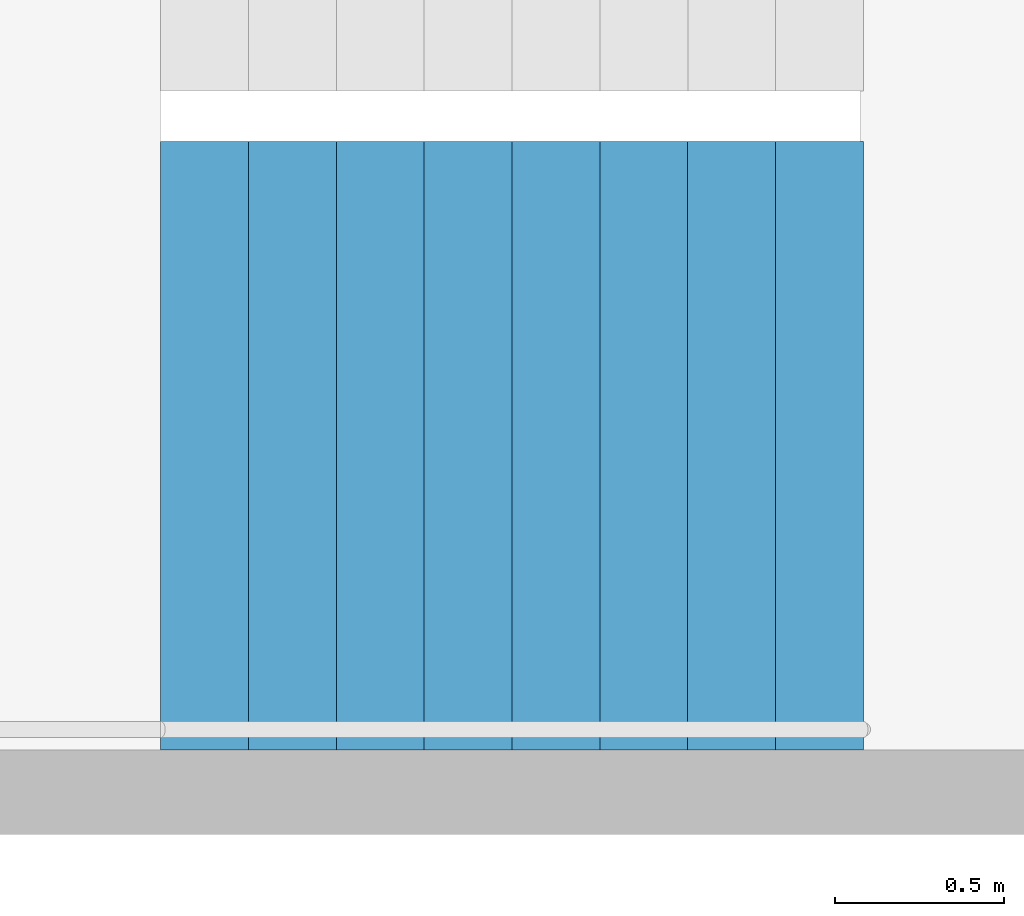
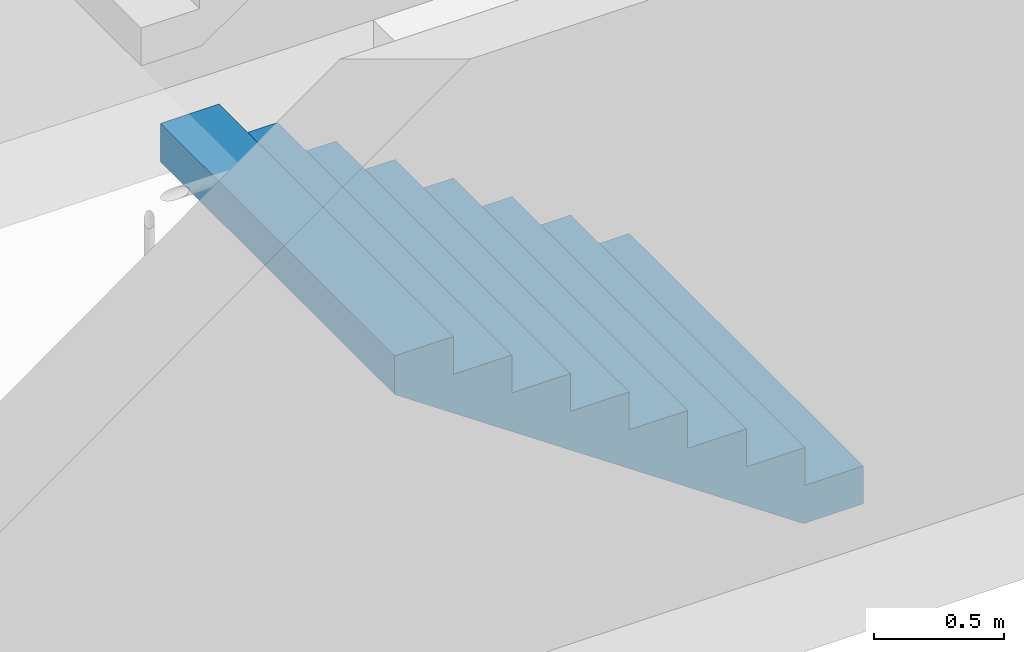
# One storey, part 27 of 29: 1 stair flight, 1 element without a shape of its own.
"""IFC4 building model written with IfcOpenShell, lengths in metres."""

from ifc_helpers import new_model, si_unit, direction, frame, origin, place, context, subcontext, project, spatial, triangles, material, type_object, element, aggregate, save


model = new_model("IFC4")

# Units and contexts
model_context = context("Model", 3, precision=1e-05, world=origin(), true_north=direction((0.0, 1.0)))
body_context = subcontext(model_context, "Body", "Model", "MODEL_VIEW")
ifc_project = project(units=[si_unit("LENGTHUNIT", "METRE"), si_unit("AREAUNIT", "SQUARE_METRE"), si_unit("VOLUMEUNIT", "CUBIC_METRE"), si_unit("PLANEANGLEUNIT", "RADIAN"), si_unit("MASSUNIT", "GRAM", prefix="KILO")], contexts=[model_context])

# Site, building, storey
site_placement = place(None, origin())
site = spatial("IfcSite", under=ifc_project, at=site_placement, CompositionType="ELEMENT")
building_placement = place(site_placement, origin())
building = spatial("IfcBuilding", under=site, at=building_placement, Name="Hakoniwa Tower and Hamabe Station Hall", CompositionType="ELEMENT")
storey_placement = place(building_placement, frame((0.0, 0.0, 117.0)))
storey = spatial("IfcBuildingStorey", under=building, at=storey_placement, Name="L33", CompositionType="ELEMENT", Elevation=117.0)

# Stair, stair flight
ifc_material_1 = material(Name="Concrete C40", Category="concrete")
stair_type = type_object("IfcStairType", Name="ESCAPE STAIR 1800", PredefinedType="HALF_TURN_STAIR", material=ifc_material_1)
stair_placement = place(storey_placement, origin())
stair = element("IfcStair", 1, at=stair_placement, inside=storey, type_object=stair_type, Name="Escape stair ST-3 L33", PredefinedType="HALF_TURN_STAIR")
ifc_material_2 = material(Name="Concrete C40", Category="concrete")
stair_flight_type = type_object("IfcStairFlightType", Name="STAIR FLIGHT 1800", PredefinedType="STRAIGHT", material=ifc_material_2)
stair_flight_placement = place(storey_placement, frame((24.39990234375, 4.64990234375, 0.0), z_axis=(0.0, 0.0, 1.0), x_axis=(-1.0, 0.0, 0.0)))
stair_flight = element("IfcStairFlight", 2, at=stair_flight_placement, type_object=stair_flight_type, Name="ST-3 flight 1", NumberOfRisers=9, NumberOfTreads=8, PredefinedType="STRAIGHT", RiserHeight=0.177777778, TreadLength=0.26, context=body_context, shape_type="Tessellation", body=[
    triangles([(0.0, 0.89990234375, 0.0), (0.260009765625, 0.89990234375, 0.0), (0.265625, 0.89990234375, 0.0), (0.52001953125, 0.89990234375, 0.174072265625), (0.780029296875, 0.89990234375, 0.351806640625), (1.0400390625, 0.89990234375, 0.529541015625), (1.300048828125, 0.89990234375, 0.707275390625), (1.56005859375, 0.89990234375, 0.885009765625), (1.820068359375, 0.89990234375, 1.062744140625), (2.080078125, 0.89990234375, 1.24072265625), (2.080078125, 0.89990234375, 1.422119140625), (1.820068359375, 0.89990234375, 1.422119140625), (1.820068359375, 0.89990234375, 1.244384765625), (1.56005859375, 0.89990234375, 1.244384765625), (1.56005859375, 0.89990234375, 1.066650390625), (1.300048828125, 0.89990234375, 1.066650390625), (1.300048828125, 0.89990234375, 0.888916015625), (1.0400390625, 0.89990234375, 0.888916015625), (1.0400390625, 0.89990234375, 0.711181640625), (0.780029296875, 0.89990234375, 0.711181640625), (0.780029296875, 0.89990234375, 0.533447265625), (0.52001953125, 0.89990234375, 0.533447265625), (0.52001953125, 0.89990234375, 0.35546875), (0.265625, 0.89990234375, 0.35546875), (0.260009765625, 0.89990234375, 0.35546875), (0.260009765625, 0.89990234375, 0.177734375), (0.0, 0.89990234375, 0.177734375), (0.0, 0.06005859375, 0.0), (0.260009765625, 0.06005859375, 0.0), (0.265625, 0.06005859375, 0.0), (0.52001953125, 0.06005859375, 0.174072265625), (0.780029296875, 0.06005859375, 0.351806640625), (1.0400390625, 0.06005859375, 0.529541015625), (1.300048828125, 0.06005859375, 0.707275390625), (1.56005859375, 0.06005859375, 0.885009765625), (1.820068359375, 0.06005859375, 1.062744140625), (2.080078125, 0.06005859375, 1.24072265625), (2.080078125, 0.06005859375, 1.422119140625), (1.820068359375, 0.06005859375, 1.422119140625), (1.820068359375, 0.06005859375, 1.244384765625), (1.56005859375, 0.06005859375, 1.244384765625), (1.56005859375, 0.06005859375, 1.066650390625), (1.300048828125, 0.06005859375, 1.066650390625), (1.300048828125, 0.06005859375, 0.888916015625), (1.0400390625, 0.06005859375, 0.888916015625), (1.0400390625, 0.06005859375, 0.711181640625), (0.780029296875, 0.06005859375, 0.711181640625), (0.780029296875, 0.06005859375, 0.533447265625), (0.52001953125, 0.06005859375, 0.533447265625), (0.52001953125, 0.06005859375, 0.35546875), (0.265625, 0.06005859375, 0.35546875), (0.260009765625, 0.06005859375, 0.35546875), (0.260009765625, 0.06005859375, 0.177734375), (0.0, 0.06005859375, 0.177734375), (0.0, 0.04296875, 0.0), (0.260009765625, 0.04296875, 0.0), (0.265625, 0.04296875, 0.0), (0.52001953125, 0.04296875, 0.174072265625), (0.780029296875, 0.04296875, 0.351806640625), (1.0400390625, 0.04296875, 0.529541015625), (1.300048828125, 0.04296875, 0.707275390625), (1.56005859375, 0.04296875, 0.885009765625), (1.820068359375, 0.04296875, 1.062744140625), (2.080078125, 0.04296875, 1.24072265625), (2.080078125, 0.04296875, 1.422119140625), (1.820068359375, 0.04296875, 1.422119140625), (1.820068359375, 0.04296875, 1.244384765625), (1.56005859375, 0.04296875, 1.244384765625), (1.56005859375, 0.04296875, 1.066650390625), (1.300048828125, 0.04296875, 1.066650390625), (1.300048828125, 0.04296875, 0.888916015625), (1.0400390625, 0.04296875, 0.888916015625), (1.0400390625, 0.04296875, 0.711181640625), (0.780029296875, 0.04296875, 0.711181640625), (0.780029296875, 0.04296875, 0.533447265625), (0.52001953125, 0.04296875, 0.533447265625), (0.52001953125, 0.04296875, 0.35546875), (0.265625, 0.04296875, 0.35546875), (0.260009765625, 0.04296875, 0.35546875), (0.260009765625, 0.04296875, 0.177734375), (0.0, 0.04296875, 0.177734375), (0.0, 0.025634765625, 0.0), (0.260009765625, 0.025634765625, 0.0), (0.265625, 0.025634765625, 0.0), (0.52001953125, 0.025634765625, 0.174072265625), (0.780029296875, 0.025634765625, 0.351806640625), (1.0400390625, 0.025634765625, 0.529541015625), (1.300048828125, 0.025634765625, 0.707275390625), (1.56005859375, 0.025634765625, 0.885009765625), (1.820068359375, 0.025634765625, 1.062744140625), (2.080078125, 0.025634765625, 1.24072265625), (2.080078125, 0.025634765625, 1.422119140625), (1.820068359375, 0.025634765625, 1.422119140625), (1.820068359375, 0.025634765625, 1.244384765625), (1.56005859375, 0.025634765625, 1.244384765625), (1.56005859375, 0.025634765625, 1.066650390625), (1.300048828125, 0.025634765625, 1.066650390625), (1.300048828125, 0.025634765625, 0.888916015625), (1.0400390625, 0.025634765625, 0.888916015625), (1.0400390625, 0.025634765625, 0.711181640625), (0.780029296875, 0.025634765625, 0.711181640625), (0.780029296875, 0.025634765625, 0.533447265625), (0.52001953125, 0.025634765625, 0.533447265625), (0.52001953125, 0.025634765625, 0.35546875), (0.265625, 0.025634765625, 0.35546875), (0.260009765625, 0.025634765625, 0.35546875), (0.260009765625, 0.025634765625, 0.177734375), (0.0, 0.025634765625, 0.177734375), (0.0, 0.008544921875, 0.0), (0.260009765625, 0.008544921875, 0.0), (0.265625, 0.008544921875, 0.0), (0.52001953125, 0.008544921875, 0.174072265625), (0.780029296875, 0.008544921875, 0.351806640625), (1.0400390625, 0.008544921875, 0.529541015625), (1.300048828125, 0.008544921875, 0.707275390625), (1.56005859375, 0.008544921875, 0.885009765625), (1.820068359375, 0.008544921875, 1.062744140625), (2.080078125, 0.008544921875, 1.24072265625), (2.080078125, 0.008544921875, 1.422119140625), (1.820068359375, 0.008544921875, 1.422119140625), (1.820068359375, 0.008544921875, 1.244384765625), (1.56005859375, 0.008544921875, 1.244384765625), (1.56005859375, 0.008544921875, 1.066650390625), (1.300048828125, 0.008544921875, 1.066650390625), (1.300048828125, 0.008544921875, 0.888916015625), (1.0400390625, 0.008544921875, 0.888916015625), (1.0400390625, 0.008544921875, 0.711181640625), (0.780029296875, 0.008544921875, 0.711181640625), (0.780029296875, 0.008544921875, 0.533447265625), (0.52001953125, 0.008544921875, 0.533447265625), (0.52001953125, 0.008544921875, 0.35546875), (0.265625, 0.008544921875, 0.35546875), (0.260009765625, 0.008544921875, 0.35546875), (0.260009765625, 0.008544921875, 0.177734375), (0.0, 0.008544921875, 0.177734375), (0.0, -0.008544921875, 0.0), (0.260009765625, -0.008544921875, 0.0), (0.265625, -0.008544921875, 0.0), (0.52001953125, -0.008544921875, 0.174072265625), (0.780029296875, -0.008544921875, 0.351806640625), (1.0400390625, -0.008544921875, 0.529541015625), (1.300048828125, -0.008544921875, 0.707275390625), (1.56005859375, -0.008544921875, 0.885009765625), (1.820068359375, -0.008544921875, 1.062744140625), (2.080078125, -0.008544921875, 1.24072265625), (2.080078125, -0.008544921875, 1.422119140625), (1.820068359375, -0.008544921875, 1.422119140625), (1.820068359375, -0.008544921875, 1.244384765625), (1.56005859375, -0.008544921875, 1.244384765625), (1.56005859375, -0.008544921875, 1.066650390625), (1.300048828125, -0.008544921875, 1.066650390625), (1.300048828125, -0.008544921875, 0.888916015625), (1.0400390625, -0.008544921875, 0.888916015625), (1.0400390625, -0.008544921875, 0.711181640625), (0.780029296875, -0.008544921875, 0.711181640625), (0.780029296875, -0.008544921875, 0.533447265625), (0.52001953125, -0.008544921875, 0.533447265625), (0.52001953125, -0.008544921875, 0.35546875), (0.265625, -0.008544921875, 0.35546875), (0.260009765625, -0.008544921875, 0.35546875), (0.260009765625, -0.008544921875, 0.177734375), (0.0, -0.008544921875, 0.177734375), (0.0, -0.025634765625, 0.0), (0.260009765625, -0.025634765625, 0.0), (0.265625, -0.025634765625, 0.0), (0.52001953125, -0.025634765625, 0.174072265625), (0.780029296875, -0.025634765625, 0.351806640625), (1.0400390625, -0.025634765625, 0.529541015625), (1.300048828125, -0.025634765625, 0.707275390625), (1.56005859375, -0.025634765625, 0.885009765625), (1.820068359375, -0.025634765625, 1.062744140625), (2.080078125, -0.025634765625, 1.24072265625), (2.080078125, -0.025634765625, 1.422119140625), (1.820068359375, -0.025634765625, 1.422119140625), (1.820068359375, -0.025634765625, 1.244384765625), (1.56005859375, -0.025634765625, 1.244384765625), (1.56005859375, -0.025634765625, 1.066650390625), (1.300048828125, -0.025634765625, 1.066650390625), (1.300048828125, -0.025634765625, 0.888916015625), (1.0400390625, -0.025634765625, 0.888916015625), (1.0400390625, -0.025634765625, 0.711181640625), (0.780029296875, -0.025634765625, 0.711181640625), (0.780029296875, -0.025634765625, 0.533447265625), (0.52001953125, -0.025634765625, 0.533447265625), (0.52001953125, -0.025634765625, 0.35546875), (0.265625, -0.025634765625, 0.35546875), (0.260009765625, -0.025634765625, 0.35546875), (0.260009765625, -0.025634765625, 0.177734375), (0.0, -0.025634765625, 0.177734375), (0.0, -0.04296875, 0.0), (0.260009765625, -0.04296875, 0.0), (0.265625, -0.04296875, 0.0), (0.52001953125, -0.04296875, 0.174072265625), (0.780029296875, -0.04296875, 0.351806640625), (1.0400390625, -0.04296875, 0.529541015625), (1.300048828125, -0.04296875, 0.707275390625), (1.56005859375, -0.04296875, 0.885009765625), (1.820068359375, -0.04296875, 1.062744140625), (2.080078125, -0.04296875, 1.24072265625), (2.080078125, -0.04296875, 1.422119140625), (1.820068359375, -0.04296875, 1.422119140625), (1.820068359375, -0.04296875, 1.244384765625), (1.56005859375, -0.04296875, 1.244384765625), (1.56005859375, -0.04296875, 1.066650390625), (1.300048828125, -0.04296875, 1.066650390625), (1.300048828125, -0.04296875, 0.888916015625), (1.0400390625, -0.04296875, 0.888916015625), (1.0400390625, -0.04296875, 0.711181640625), (0.780029296875, -0.04296875, 0.711181640625), (0.780029296875, -0.04296875, 0.533447265625), (0.52001953125, -0.04296875, 0.533447265625), (0.52001953125, -0.04296875, 0.35546875), (0.265625, -0.04296875, 0.35546875), (0.260009765625, -0.04296875, 0.35546875), (0.260009765625, -0.04296875, 0.177734375), (0.0, -0.04296875, 0.177734375), (0.0, -0.06005859375, 0.0), (0.260009765625, -0.06005859375, 0.0), (0.265625, -0.06005859375, 0.0), (0.52001953125, -0.06005859375, 0.174072265625), (0.780029296875, -0.06005859375, 0.351806640625), (1.0400390625, -0.06005859375, 0.529541015625), (1.300048828125, -0.06005859375, 0.707275390625), (1.56005859375, -0.06005859375, 0.885009765625), (1.820068359375, -0.06005859375, 1.062744140625), (2.080078125, -0.06005859375, 1.24072265625), (2.080078125, -0.06005859375, 1.422119140625), (1.820068359375, -0.06005859375, 1.422119140625), (1.820068359375, -0.06005859375, 1.244384765625), (1.56005859375, -0.06005859375, 1.244384765625), (1.56005859375, -0.06005859375, 1.066650390625), (1.300048828125, -0.06005859375, 1.066650390625), (1.300048828125, -0.06005859375, 0.888916015625), (1.0400390625, -0.06005859375, 0.888916015625), (1.0400390625, -0.06005859375, 0.711181640625), (0.780029296875, -0.06005859375, 0.711181640625), (0.780029296875, -0.06005859375, 0.533447265625), (0.52001953125, -0.06005859375, 0.533447265625), (0.52001953125, -0.06005859375, 0.35546875), (0.265625, -0.06005859375, 0.35546875), (0.260009765625, -0.06005859375, 0.35546875), (0.260009765625, -0.06005859375, 0.177734375), (0.0, -0.06005859375, 0.177734375), (0.0, -0.89990234375, 0.0), (0.260009765625, -0.89990234375, 0.0), (0.265625, -0.89990234375, 0.0), (0.52001953125, -0.89990234375, 0.174072265625), (0.780029296875, -0.89990234375, 0.351806640625), (1.0400390625, -0.89990234375, 0.529541015625), (1.300048828125, -0.89990234375, 0.707275390625), (1.56005859375, -0.89990234375, 0.885009765625), (1.820068359375, -0.89990234375, 1.062744140625), (2.080078125, -0.89990234375, 1.24072265625), (2.080078125, -0.89990234375, 1.422119140625), (1.820068359375, -0.89990234375, 1.422119140625), (1.820068359375, -0.89990234375, 1.244384765625), (1.56005859375, -0.89990234375, 1.244384765625), (1.56005859375, -0.89990234375, 1.066650390625), (1.300048828125, -0.89990234375, 1.066650390625), (1.300048828125, -0.89990234375, 0.888916015625), (1.0400390625, -0.89990234375, 0.888916015625), (1.0400390625, -0.89990234375, 0.711181640625), (0.780029296875, -0.89990234375, 0.711181640625), (0.780029296875, -0.89990234375, 0.533447265625), (0.52001953125, -0.89990234375, 0.533447265625), (0.52001953125, -0.89990234375, 0.35546875), (0.265625, -0.89990234375, 0.35546875), (0.260009765625, -0.89990234375, 0.35546875), (0.260009765625, -0.89990234375, 0.177734375), (0.0, -0.89990234375, 0.177734375)], [[2, 27, 26], [245, 269, 270], [2, 1, 27], [245, 270, 244], [3, 25, 24], [246, 267, 268], [3, 26, 25], [246, 268, 269], [3, 2, 26], [246, 269, 245], [4, 24, 23], [247, 266, 267], [4, 3, 24], [247, 267, 246], [5, 22, 21], [248, 264, 265], [5, 23, 22], [248, 265, 266], [5, 4, 23], [248, 266, 247], [6, 20, 19], [249, 262, 263], [6, 21, 20], [249, 263, 264], [6, 5, 21], [249, 264, 248], [7, 18, 17], [250, 260, 261], [7, 19, 18], [250, 261, 262], [7, 6, 19], [250, 262, 249], [8, 16, 15], [251, 258, 259], [8, 17, 16], [251, 259, 260], [8, 7, 17], [251, 260, 250], [9, 14, 13], [252, 256, 257], [9, 15, 14], [252, 257, 258], [9, 8, 15], [252, 258, 251], [10, 12, 11], [253, 254, 255], [10, 13, 12], [253, 255, 256], [10, 9, 13], [253, 256, 252], [1, 2, 29], [1, 29, 28], [28, 29, 56], [28, 56, 55], [55, 56, 83], [55, 83, 82], [82, 83, 110], [82, 110, 109], [109, 110, 137], [109, 137, 136], [136, 137, 164], [136, 164, 163], [163, 164, 191], [163, 191, 190], [190, 191, 218], [190, 218, 217], [217, 218, 245], [217, 245, 244], [2, 3, 30], [2, 30, 29], [29, 30, 57], [29, 57, 56], [56, 57, 84], [56, 84, 83], [83, 84, 111], [83, 111, 110], [110, 111, 138], [110, 138, 137], [137, 138, 165], [137, 165, 164], [164, 165, 192], [164, 192, 191], [191, 192, 219], [191, 219, 218], [218, 219, 246], [218, 246, 245], [3, 4, 31], [3, 31, 30], [30, 31, 58], [30, 58, 57], [57, 58, 85], [57, 85, 84], [84, 85, 112], [84, 112, 111], [111, 112, 139], [111, 139, 138], [138, 139, 166], [138, 166, 165], [165, 166, 193], [165, 193, 192], [192, 193, 220], [192, 220, 219], [219, 220, 247], [219, 247, 246], [4, 5, 32], [4, 32, 31], [31, 32, 59], [31, 59, 58], [58, 59, 86], [58, 86, 85], [85, 86, 113], [85, 113, 112], [112, 113, 140], [112, 140, 139], [139, 140, 167], [139, 167, 166], [166, 167, 194], [166, 194, 193], [193, 194, 221], [193, 221, 220], [220, 221, 248], [220, 248, 247], [5, 6, 33], [5, 33, 32], [32, 33, 60], [32, 60, 59], [59, 60, 87], [59, 87, 86], [86, 87, 114], [86, 114, 113], [113, 114, 141], [113, 141, 140], [140, 141, 168], [140, 168, 167], [167, 168, 195], [167, 195, 194], [194, 195, 222], [194, 222, 221], [221, 222, 249], [221, 249, 248], [6, 7, 34], [6, 34, 33], [33, 34, 61], [33, 61, 60], [60, 61, 88], [60, 88, 87], [87, 88, 115], [87, 115, 114], [114, 115, 142], [114, 142, 141], [141, 142, 169], [141, 169, 168], [168, 169, 196], [168, 196, 195], [195, 196, 223], [195, 223, 222], [222, 223, 250], [222, 250, 249], [7, 8, 35], [7, 35, 34], [34, 35, 62], [34, 62, 61], [61, 62, 89], [61, 89, 88], [88, 89, 116], [88, 116, 115], [115, 116, 143], [115, 143, 142], [142, 143, 170], [142, 170, 169], [169, 170, 197], [169, 197, 196], [196, 197, 224], [196, 224, 223], [223, 224, 251], [223, 251, 250], [8, 9, 36], [8, 36, 35], [35, 36, 63], [35, 63, 62], [62, 63, 90], [62, 90, 89], [89, 90, 117], [89, 117, 116], [116, 117, 144], [116, 144, 143], [143, 144, 171], [143, 171, 170], [170, 171, 198], [170, 198, 197], [197, 198, 225], [197, 225, 224], [224, 225, 252], [224, 252, 251], [9, 10, 37], [9, 37, 36], [36, 37, 64], [36, 64, 63], [63, 64, 91], [63, 91, 90], [90, 91, 118], [90, 118, 117], [117, 118, 145], [117, 145, 144], [144, 145, 172], [144, 172, 171], [171, 172, 199], [171, 199, 198], [198, 199, 226], [198, 226, 225], [225, 226, 253], [225, 253, 252], [10, 11, 38], [10, 38, 37], [37, 38, 65], [37, 65, 64], [64, 65, 92], [64, 92, 91], [91, 92, 119], [91, 119, 118], [118, 119, 146], [118, 146, 145], [145, 146, 173], [145, 173, 172], [172, 173, 200], [172, 200, 199], [199, 200, 227], [199, 227, 226], [226, 227, 254], [226, 254, 253], [11, 12, 39], [11, 39, 38], [38, 39, 66], [38, 66, 65], [65, 66, 93], [65, 93, 92], [92, 93, 120], [92, 120, 119], [119, 120, 147], [119, 147, 146], [146, 147, 174], [146, 174, 173], [173, 174, 201], [173, 201, 200], [200, 201, 228], [200, 228, 227], [227, 228, 255], [227, 255, 254], [12, 13, 40], [12, 40, 39], [39, 40, 67], [39, 67, 66], [66, 67, 94], [66, 94, 93], [93, 94, 121], [93, 121, 120], [120, 121, 148], [120, 148, 147], [147, 148, 175], [147, 175, 174], [174, 175, 202], [174, 202, 201], [201, 202, 229], [201, 229, 228], [228, 229, 256], [228, 256, 255], [13, 14, 41], [13, 41, 40], [40, 41, 68], [40, 68, 67], [67, 68, 95], [67, 95, 94], [94, 95, 122], [94, 122, 121], [121, 122, 149], [121, 149, 148], [148, 149, 176], [148, 176, 175], [175, 176, 203], [175, 203, 202], [202, 203, 230], [202, 230, 229], [229, 230, 257], [229, 257, 256], [14, 15, 42], [14, 42, 41], [41, 42, 69], [41, 69, 68], [68, 69, 96], [68, 96, 95], [95, 96, 123], [95, 123, 122], [122, 123, 150], [122, 150, 149], [149, 150, 177], [149, 177, 176], [176, 177, 204], [176, 204, 203], [203, 204, 231], [203, 231, 230], [230, 231, 258], [230, 258, 257], [15, 16, 43], [15, 43, 42], [42, 43, 70], [42, 70, 69], [69, 70, 97], [69, 97, 96], [96, 97, 124], [96, 124, 123], [123, 124, 151], [123, 151, 150], [150, 151, 178], [150, 178, 177], [177, 178, 205], [177, 205, 204], [204, 205, 232], [204, 232, 231], [231, 232, 259], [231, 259, 258], [16, 17, 44], [16, 44, 43], [43, 44, 71], [43, 71, 70], [70, 71, 98], [70, 98, 97], [97, 98, 125], [97, 125, 124], [124, 125, 152], [124, 152, 151], [151, 152, 179], [151, 179, 178], [178, 179, 206], [178, 206, 205], [205, 206, 233], [205, 233, 232], [232, 233, 260], [232, 260, 259], [17, 18, 45], [17, 45, 44], [44, 45, 72], [44, 72, 71], [71, 72, 99], [71, 99, 98], [98, 99, 126], [98, 126, 125], [125, 126, 153], [125, 153, 152], [152, 153, 180], [152, 180, 179], [179, 180, 207], [179, 207, 206], [206, 207, 234], [206, 234, 233], [233, 234, 261], [233, 261, 260], [18, 19, 46], [18, 46, 45], [45, 46, 73], [45, 73, 72], [72, 73, 100], [72, 100, 99], [99, 100, 127], [99, 127, 126], [126, 127, 154], [126, 154, 153], [153, 154, 181], [153, 181, 180], [180, 181, 208], [180, 208, 207], [207, 208, 235], [207, 235, 234], [234, 235, 262], [234, 262, 261], [19, 20, 47], [19, 47, 46], [46, 47, 74], [46, 74, 73], [73, 74, 101], [73, 101, 100], [100, 101, 128], [100, 128, 127], [127, 128, 155], [127, 155, 154], [154, 155, 182], [154, 182, 181], [181, 182, 209], [181, 209, 208], [208, 209, 236], [208, 236, 235], [235, 236, 263], [235, 263, 262], [20, 21, 48], [20, 48, 47], [47, 48, 75], [47, 75, 74], [74, 75, 102], [74, 102, 101], [101, 102, 129], [101, 129, 128], [128, 129, 156], [128, 156, 155], [155, 156, 183], [155, 183, 182], [182, 183, 210], [182, 210, 209], [209, 210, 237], [209, 237, 236], [236, 237, 264], [236, 264, 263], [21, 22, 49], [21, 49, 48], [48, 49, 76], [48, 76, 75], [75, 76, 103], [75, 103, 102], [102, 103, 130], [102, 130, 129], [129, 130, 157], [129, 157, 156], [156, 157, 184], [156, 184, 183], [183, 184, 211], [183, 211, 210], [210, 211, 238], [210, 238, 237], [237, 238, 265], [237, 265, 264], [22, 23, 50], [22, 50, 49], [49, 50, 77], [49, 77, 76], [76, 77, 104], [76, 104, 103], [103, 104, 131], [103, 131, 130], [130, 131, 158], [130, 158, 157], [157, 158, 185], [157, 185, 184], [184, 185, 212], [184, 212, 211], [211, 212, 239], [211, 239, 238], [238, 239, 266], [238, 266, 265], [23, 24, 51], [23, 51, 50], [50, 51, 78], [50, 78, 77], [77, 78, 105], [77, 105, 104], [104, 105, 132], [104, 132, 131], [131, 132, 159], [131, 159, 158], [158, 159, 186], [158, 186, 185], [185, 186, 213], [185, 213, 212], [212, 213, 240], [212, 240, 239], [239, 240, 267], [239, 267, 266], [24, 25, 52], [24, 52, 51], [51, 52, 79], [51, 79, 78], [78, 79, 106], [78, 106, 105], [105, 106, 133], [105, 133, 132], [132, 133, 160], [132, 160, 159], [159, 160, 187], [159, 187, 186], [186, 187, 214], [186, 214, 213], [213, 214, 241], [213, 241, 240], [240, 241, 268], [240, 268, 267], [25, 26, 53], [25, 53, 52], [52, 53, 80], [52, 80, 79], [79, 80, 107], [79, 107, 106], [106, 107, 134], [106, 134, 133], [133, 134, 161], [133, 161, 160], [160, 161, 188], [160, 188, 187], [187, 188, 215], [187, 215, 214], [214, 215, 242], [214, 242, 241], [241, 242, 269], [241, 269, 268], [26, 27, 54], [26, 54, 53], [53, 54, 81], [53, 81, 80], [80, 81, 108], [80, 108, 107], [107, 108, 135], [107, 135, 134], [134, 135, 162], [134, 162, 161], [161, 162, 189], [161, 189, 188], [188, 189, 216], [188, 216, 215], [215, 216, 243], [215, 243, 242], [242, 243, 270], [242, 270, 269], [27, 1, 28], [27, 28, 54], [54, 28, 55], [54, 55, 81], [81, 55, 82], [81, 82, 108], [108, 82, 109], [108, 109, 135], [135, 109, 136], [135, 136, 162], [162, 136, 163], [162, 163, 189], [189, 163, 190], [189, 190, 216], [216, 190, 217], [216, 217, 243], [243, 217, 244], [243, 244, 270]], closed=True),
])
aggregate(stair, [stair_flight])

save(model, "model.ifc")
